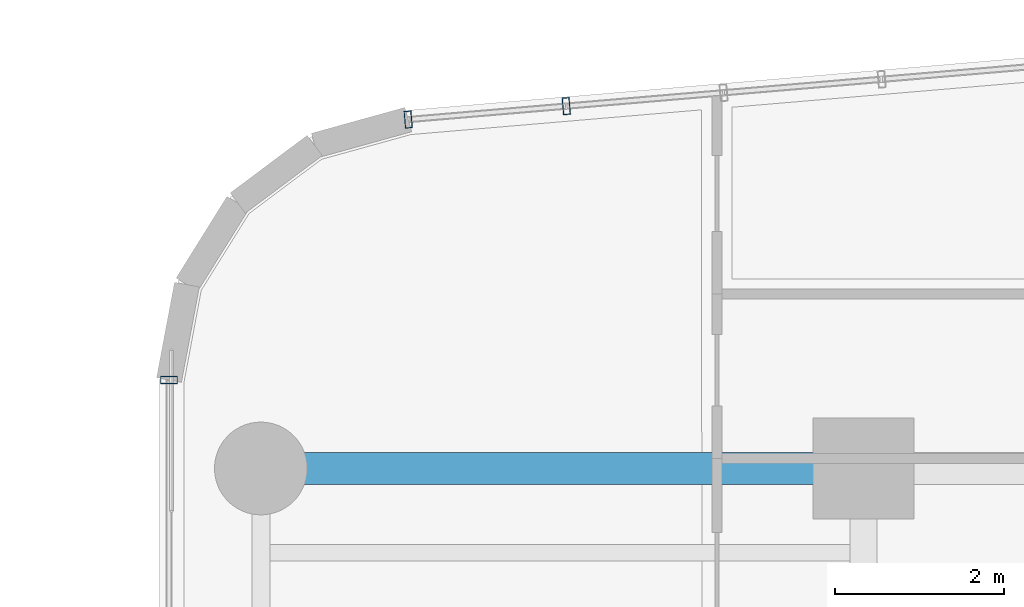
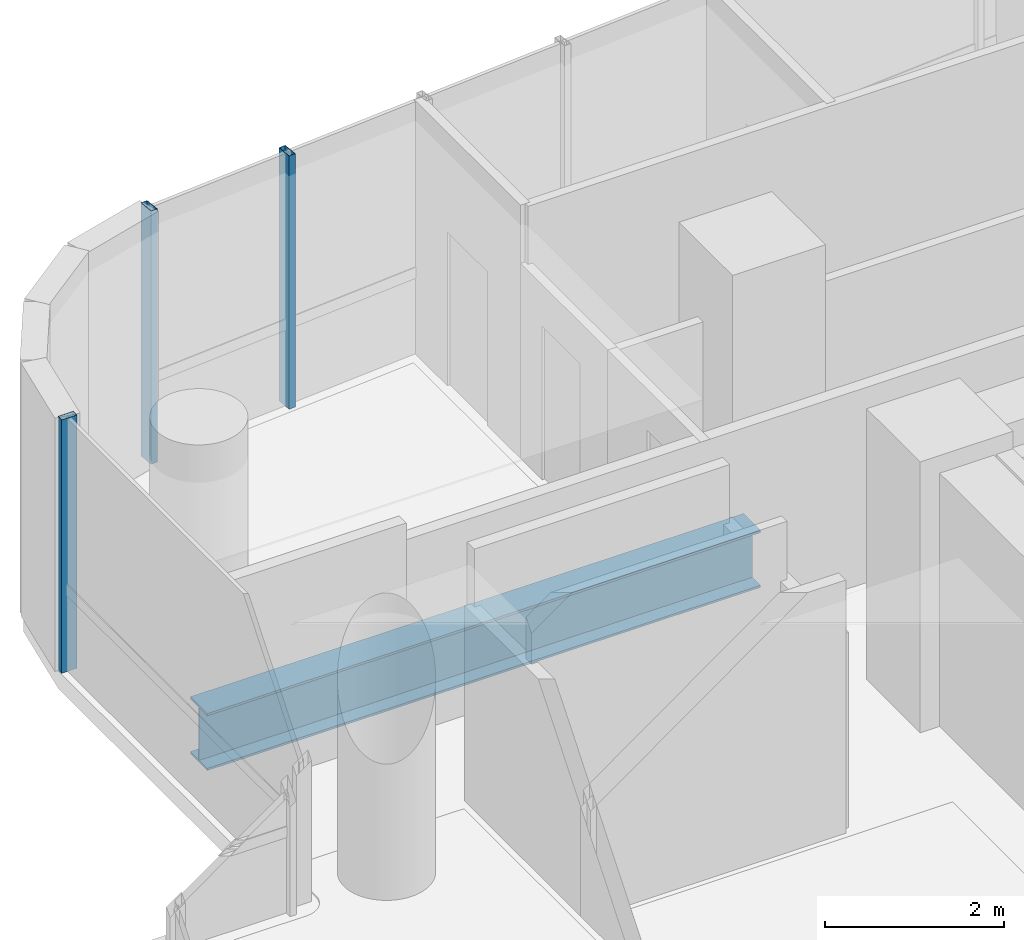
# One storey, part 18 of 35: 3 members, 1 beam, 2 elements without a shape of their own.
"""IFC4 building model written with IfcOpenShell, lengths in metres."""

from ifc_helpers import new_model, si_unit, direction, frame, origin, origin_2d, place, context, subcontext, project, spatial, hollow_rectangle, i_section, extrude, source, transform, mapped, material, material_profile, profile_set, type_object, element, aggregate, save


model = new_model("IFC4")

# Units and contexts
model_context = context("Model", 3, precision=1e-05, world=origin(), true_north=direction((0.0, 1.0)))
body_context = subcontext(model_context, "Body", "Model", "MODEL_VIEW")
ifc_project = project(units=[si_unit("LENGTHUNIT", "METRE"), si_unit("AREAUNIT", "SQUARE_METRE"), si_unit("VOLUMEUNIT", "CUBIC_METRE"), si_unit("PLANEANGLEUNIT", "RADIAN"), si_unit("MASSUNIT", "GRAM", prefix="KILO")], contexts=[model_context])

# Site, building, storey
site_placement = place(None, origin())
site = spatial("IfcSite", under=ifc_project, at=site_placement, CompositionType="ELEMENT")
building_placement = place(site_placement, origin())
building = spatial("IfcBuilding", under=site, at=building_placement, Name="Valdorenza Pilgrim Sanctuary Tower", CompositionType="ELEMENT")
storey_placement = place(building_placement, frame((0.0, 0.0, 105.699951171875)))
storey = spatial("IfcBuildingStorey", under=building, at=storey_placement, Name="L26", CompositionType="ELEMENT", Elevation=105.699951171875)

# Beam
ifc_material_1 = material(Name="Steel ASTM A992 Grade 50", Category="steel")
ifc_material_profile_1 = material_profile(ifc_material_1, i_section(OverallWidth=0.382080078125, OverallDepth=0.779052734375, WebThickness=0.01806640625, FlangeThickness=0.030029296875, at=origin_2d()), Name="W30X191")
ifc_profile_set_1 = profile_set([ifc_material_profile_1], Name="Steel ASTM A992 Grade 50")
beam_type = type_object("IfcBeamType", Name="STR-BM-GRD-W30", PredefinedType="BEAM", material=ifc_profile_set_1)
shared_shape_1 = source(origin(), body_context, "Body", "SweptSolid", [
    extrude(i_section(OverallWidth=0.382080078125, OverallDepth=0.779052734375, WebThickness=0.01806640625, FlangeThickness=0.030029296875, at=origin_2d()), origin(), (0.0, 0.0, 1.0), 7.150146484375),
])
beam_placement = place(storey_placement, frame((-29.800048828125, 14.800048828125, -0.62939453125), z_axis=(1.0, 0.0, 0.0), x_axis=(0.0, 1.0, 0.0)))
element("IfcBeam", 1, at=beam_placement, inside=storey, type_object=beam_type, Name="L26 Floor Girder WA-XW-N2", PredefinedType="BEAM", context=body_context, shape_type="MappedRepresentation", body=[
    mapped(shared_shape_1, transform((0.0, 0.0, 0.0), x_axis=(1.0, 0.0, 0.0), y_axis=(0.0, 1.0, 0.0), z_axis=(0.0, 0.0, 1.0), scale=1.0)),
])

# Curtain wall, member
ifc_material_2 = material(Name="Curtain-wall IGU glazing", Category="glass")
curtain_wall_type = type_object("IfcCurtainWallType", Name="CW-SYS-02", PredefinedType="NOTDEFINED", material=ifc_material_2)
curtain_wall_1_placement = place(storey_placement, origin())
curtain_wall_1 = element("IfcCurtainWall", 2, at=curtain_wall_1_placement, inside=storey, type_object=curtain_wall_type, Name="L26 Curtain Wall CW-L26-1-1S2", PredefinedType="NOTDEFINED")
ifc_material_3 = material(Name="Anodised aluminium AW-6060", Category="aluminium")
ifc_material_profile_2 = material_profile(ifc_material_3, hollow_rectangle(XDim=0.0849609375, YDim=0.199951171875, WallThickness=0.0048828125, at=origin_2d()), Name="ALU-M 200x85x5")
ifc_profile_set_2 = profile_set([ifc_material_profile_2], Name="Anodised aluminium AW-6060")
member_type = type_object("IfcMemberType", Name="CW-MUL-02", PredefinedType="MULLION", material=ifc_profile_set_2)
shared_shape_2 = source(origin(), body_context, "Body", "SweptSolid", [
    extrude(hollow_rectangle(XDim=0.0849609375, YDim=0.199951171875, WallThickness=0.0048828125, at=origin_2d()), origin(), (0.0, 0.0, 1.0), 3.4599609375),
])
member_1_placement = place(storey_placement, frame((-30.889892578125, 15.850341796875, 0.0), z_axis=(0.0, 0.0, 1.0), x_axis=(0.0, 1.0, 0.0)))
member_1 = element("IfcMember", 3, at=member_1_placement, type_object=member_type, Name="CW-L26-1-1S2 Mullion 2", PredefinedType="MULLION", context=body_context, shape_type="MappedRepresentation", body=[
    mapped(shared_shape_2, transform((0.0, 0.0, 0.0), x_axis=(1.0, 0.0, 0.0), y_axis=(0.0, 1.0, 0.0), z_axis=(0.0, 0.0, 1.0), scale=1.0)),
])
aggregate(curtain_wall_1, [member_1])

# Curtain wall, members
curtain_wall_2_placement = place(storey_placement, origin())
curtain_wall_2 = element("IfcCurtainWall", 4, at=curtain_wall_2_placement, inside=storey, type_object=curtain_wall_type, Name="L26 Curtain Wall CW-L26-1-6", PredefinedType="NOTDEFINED")
member_2_placement = place(storey_placement, frame((-28.051513671875, 18.940185546875, 0.0), z_axis=(0.0, 0.0, 1.0), x_axis=(0.99640764237, 0.084686541006, 0.0)))
member_2 = element("IfcMember", 5, at=member_2_placement, type_object=member_type, Name="CW-L26-1-6 Mullion 1", PredefinedType="MULLION", context=body_context, shape_type="MappedRepresentation", body=[
    mapped(shared_shape_2, transform((0.0, 0.0, 0.0), x_axis=(1.0, 0.0, 0.0), y_axis=(0.0, 1.0, 0.0), z_axis=(0.0, 0.0, 1.0), scale=1.0)),
])
member_3_placement = place(storey_placement, frame((-26.17578125, 19.099609375, 0.0), z_axis=(0.0, 0.0, 1.0), x_axis=(0.99640764237, 0.084686541006, 0.0)))
member_3 = element("IfcMember", 6, at=member_3_placement, type_object=member_type, Name="CW-L26-1-6 Sub-Mullion 39-1", PredefinedType="MULLION", context=body_context, shape_type="MappedRepresentation", body=[
    mapped(shared_shape_2, transform((0.0, 0.0, 0.0), x_axis=(1.0, 0.0, 0.0), y_axis=(0.0, 1.0, 0.0), z_axis=(0.0, 0.0, 1.0), scale=1.0)),
])
aggregate(curtain_wall_2, [member_2, member_3])

save(model, "model.ifc")
